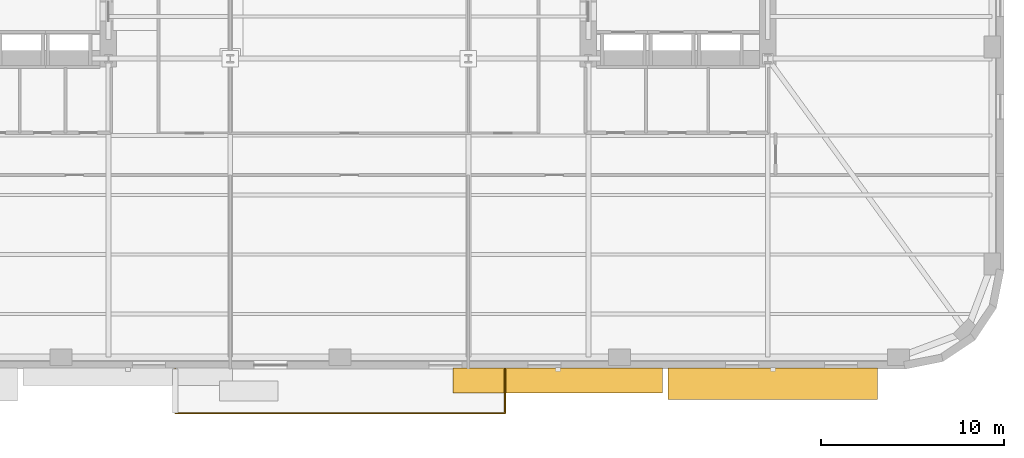
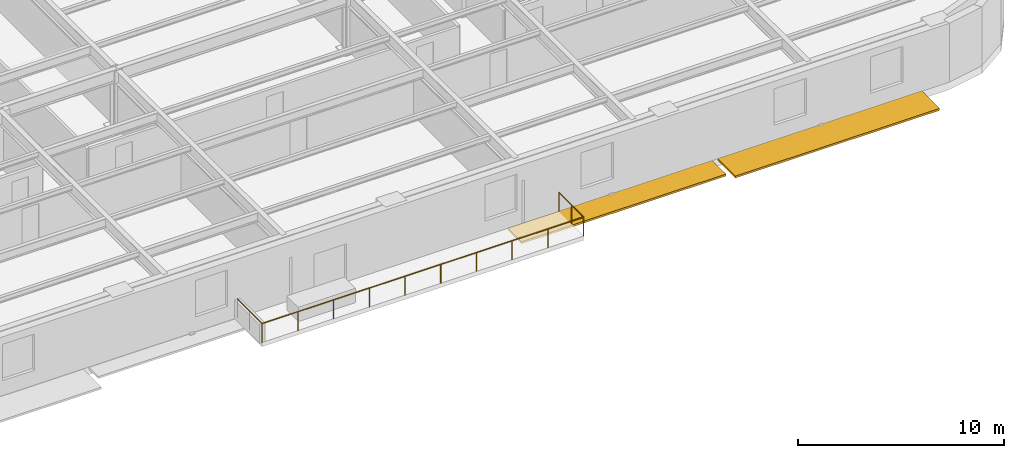
# One storey, part 11 of 15: 2 shading devices, 1 railing.
"""IFC4 building model written with IfcOpenShell, lengths in metres."""

from ifc_helpers import new_model, si_unit, direction, frame, origin, origin_2d, place, context, subcontext, project, spatial, rectangle, circle, extrude, material, type_object, element, save


model = new_model("IFC4")

# Units and contexts
model_context = context("Model", 3, precision=1e-05, world=origin(), true_north=direction((0.0, 1.0)))
body_context = subcontext(model_context, "Body", "Model", "MODEL_VIEW")
ifc_project = project(units=[si_unit("LENGTHUNIT", "METRE"), si_unit("AREAUNIT", "SQUARE_METRE"), si_unit("VOLUMEUNIT", "CUBIC_METRE"), si_unit("PLANEANGLEUNIT", "RADIAN"), si_unit("MASSUNIT", "GRAM", prefix="KILO")], contexts=[model_context])

# Site, building, storey
site_placement = place(None, origin())
site = spatial("IfcSite", under=ifc_project, at=site_placement, CompositionType="ELEMENT")
building_placement = place(site_placement, origin())
building = spatial("IfcBuilding", under=site, at=building_placement, Name="Kolvaren Arena Tower", CompositionType="ELEMENT")
storey_placement = place(building_placement, frame((0.0, 0.0, 42.0)))
storey = spatial("IfcBuildingStorey", under=building, at=storey_placement, Name="L07", CompositionType="ELEMENT", Elevation=42.0)

# Railing
ifc_material_1 = material(Name="Stainless steel and laminated glass guard", Category="steel")
railing_type = type_object("IfcRailingType", Name="GUARD-TER-115", PredefinedType="BALUSTRADE", material=ifc_material_1)
railing_placement = place(storey_placement, frame((28.0, 2.5, 0.0)))
element("IfcRailing", 1, at=railing_placement, inside=storey, type_object=railing_type, Name="Setback Terrace Perimeter Guardrail (L07)", PredefinedType="BALUSTRADE", context=body_context, shape_type="SweptSolid", body=[
    extrude(circle(Radius=0.030029296875, at=origin_2d()), frame((0.0, 0.0, 1.119873046875), z_axis=(0.0, -1.0, 0.0), x_axis=(1.0, 0.0, 0.0)), (0.0, 0.0, 1.0), 2.39990234375),
    extrude(circle(Radius=0.030029296875, at=origin_2d()), frame((0.0, -2.39990234375, 1.119873046875), z_axis=(1.0, 0.0, 0.0), x_axis=(0.0, 1.0, 0.0)), (0.0, 0.0, 1.0), 18.0),
    extrude(circle(Radius=0.030029296875, at=origin_2d()), frame((18.0, -2.39990234375, 1.119873046875), z_axis=(0.0, 1.0, 0.0), x_axis=(-1.0, 0.0, 0.0)), (0.0, 0.0, 1.0), 2.39990234375),
    extrude(circle(Radius=0.02490234375, at=origin_2d()), origin(), (0.0, 0.0, 1.0), 1.08984375),
    extrude(circle(Radius=0.02490234375, at=origin_2d()), frame((0.0, -1.199951171875, 0.0)), (0.0, 0.0, 1.0), 1.08984375),
    extrude(circle(Radius=0.02490234375, at=origin_2d()), frame((0.0, -2.39990234375, 0.0)), (0.0, 0.0, 1.0), 1.08984375),
    extrude(circle(Radius=0.02490234375, at=origin_2d()), frame((2.0, -2.39990234375, 0.0)), (0.0, 0.0, 1.0), 1.08984375),
    extrude(circle(Radius=0.02490234375, at=origin_2d()), frame((4.0, -2.39990234375, 0.0)), (0.0, 0.0, 1.0), 1.08984375),
    extrude(circle(Radius=0.02490234375, at=origin_2d()), frame((6.0, -2.39990234375, 0.0)), (0.0, 0.0, 1.0), 1.08984375),
    extrude(circle(Radius=0.02490234375, at=origin_2d()), frame((8.0, -2.39990234375, 0.0)), (0.0, 0.0, 1.0), 1.08984375),
    extrude(circle(Radius=0.02490234375, at=origin_2d()), frame((10.0, -2.39990234375, 0.0)), (0.0, 0.0, 1.0), 1.08984375),
    extrude(circle(Radius=0.02490234375, at=origin_2d()), frame((12.0, -2.39990234375, 0.0)), (0.0, 0.0, 1.0), 1.08984375),
    extrude(circle(Radius=0.02490234375, at=origin_2d()), frame((14.0, -2.39990234375, 0.0)), (0.0, 0.0, 1.0), 1.08984375),
    extrude(circle(Radius=0.02490234375, at=origin_2d()), frame((16.0, -2.39990234375, 0.0)), (0.0, 0.0, 1.0), 1.08984375),
    extrude(circle(Radius=0.02490234375, at=origin_2d()), frame((18.0, -2.39990234375, 0.0)), (0.0, 0.0, 1.0), 1.08984375),
    extrude(circle(Radius=0.02490234375, at=origin_2d()), frame((18.0, -1.199951171875, 0.0)), (0.0, 0.0, 1.0), 1.08984375),
    extrude(circle(Radius=0.02490234375, at=origin_2d()), frame((18.0, 0.0, 0.0)), (0.0, 0.0, 1.0), 1.08984375),
])

# Shading devices
ifc_material_2 = material(Name="Architectural precast GFRC and anodised aluminium sunshade", Category="concrete")
shading_device_type = type_object("IfcShadingDeviceType", Name="SHAD-SINE-B", PredefinedType="JALOUSIE", material=ifc_material_2)
shading_device_1_placement = place(storey_placement, frame((60.6298828125, 1.69091796875, -0.14013671875), z_axis=(0.0, 0.0, 1.0), x_axis=(-1.0, 0.0, 0.0)))
element("IfcShadingDevice", 2, at=shading_device_1_placement, inside=storey, type_object=shading_device_type, Name="Sinusoidal Slab-Edge Sunshade Louvre (L07)", PredefinedType="JALOUSIE", context=body_context, shape_type="SweptSolid", body=[
    extrude(rectangle(XDim=11.43994140625, YDim=1.718505859375, at=origin_2d()), origin(), (0.0, 0.0, 1.0), 0.1201171875),
])
shading_device_2_placement = place(storey_placement, frame((48.889892578125, 1.87890625, -0.14013671875), z_axis=(0.0, 0.0, 1.0), x_axis=(-1.0, 0.0, 0.0)))
element("IfcShadingDevice", 3, at=shading_device_2_placement, inside=storey, type_object=shading_device_type, Name="Sinusoidal Slab-Edge Sunshade Louvre (L07)", PredefinedType="JALOUSIE", context=body_context, shape_type="SweptSolid", body=[
    extrude(rectangle(XDim=11.43994140625, YDim=1.341796875, at=origin_2d()), origin(), (0.0, 0.0, 1.0), 0.1201171875),
])

save(model, "model.ifc")
